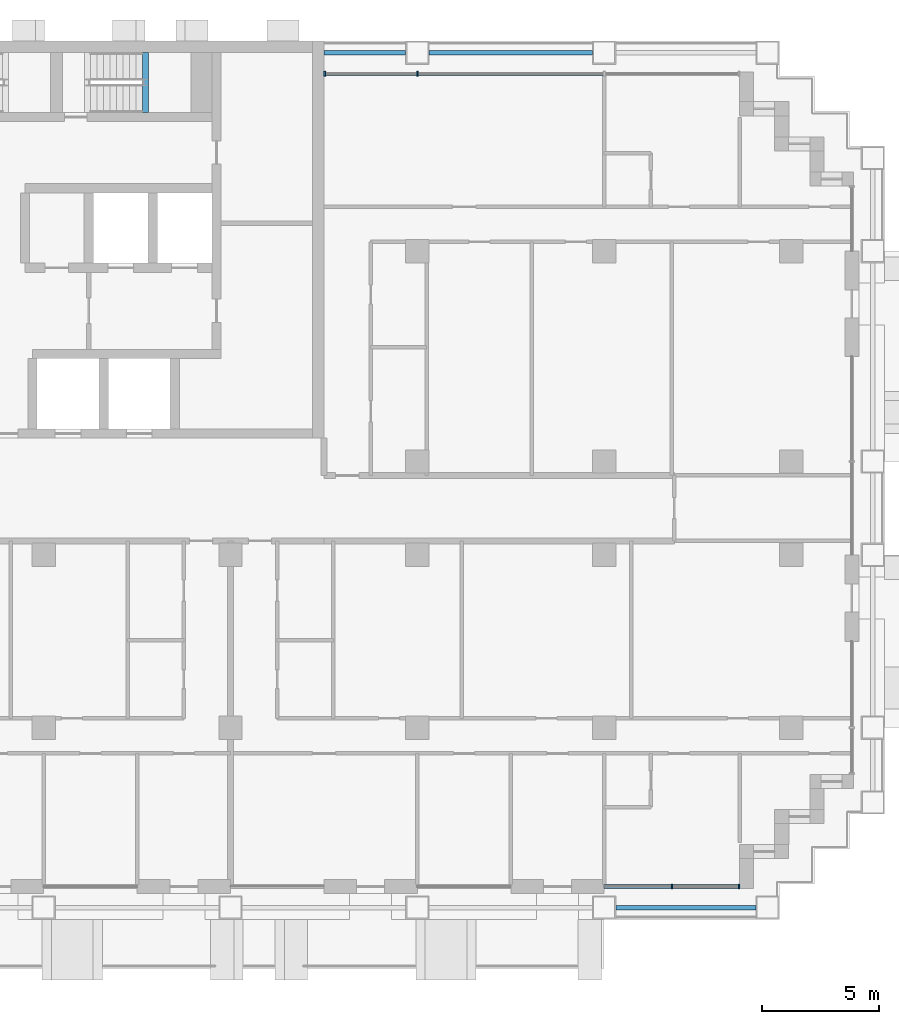
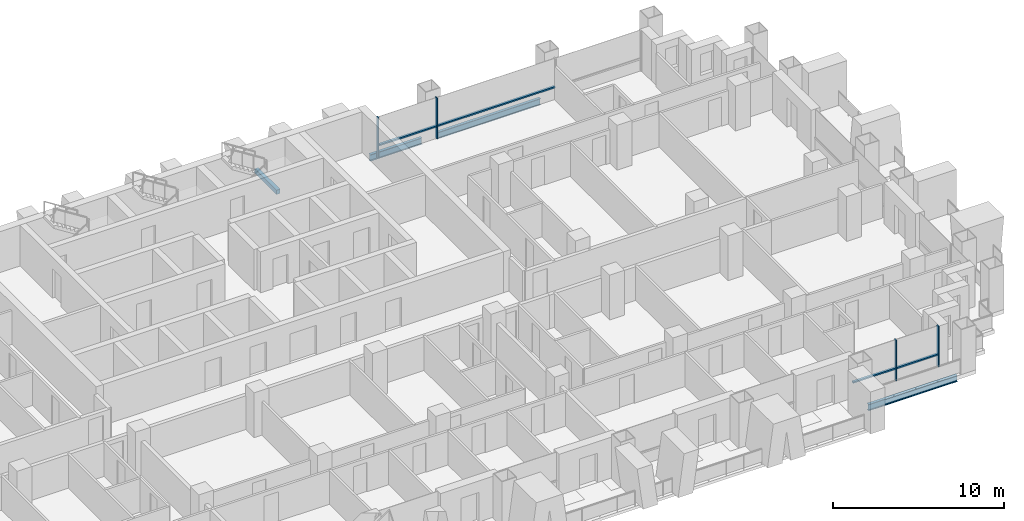
# One storey, part 5 of 18: 8 members, 4 beams, 2 elements without a shape of their own.
"""IFC4 building model written with IfcOpenShell, lengths in metres."""

import ifcopenshell
import ifcopenshell.guid

model = None  # the IFC model being written
_history = None  # IfcOwnerHistory: only IFC2X3 demands one
_inside = {}  # id of a spatial element -> (the spatial element, [elements in it])
_under = {}  # id of a project, library or spatial element -> (it, [spatial elements below it])
_declared = {}  # id of a project -> (the project, [libraries it declares])
_typed = {}  # id of a type object -> (the type object, [elements of that type])
_made_of = {}  # id of a material, layer set ... -> (it, [elements and type objects made of it])


def new_model(schema):
    """Start an empty IFC model of exactly this schema.

    Asked for "IFC4X3", IfcOpenShell would pick the latest addendum, in which some entities
    have other attributes; the version numbers below select the first issue.
    IFC2X3 requires an IfcOwnerHistory on every rooted entity: one is made here for all.
    """
    global model, _history
    if schema == "IFC4X3":
        model = ifcopenshell.file(schema_version=(4, 3, 0, 0))
    else:
        model = ifcopenshell.file(schema=schema)
    _inside.clear()
    _under.clear()
    _declared.clear()
    _typed.clear()
    _made_of.clear()
    _history = None
    if model.schema == "IFC2X3":
        org = make("IfcOrganization", Name="unknown")
        user = make(
            "IfcPersonAndOrganization",
            ThePerson=make("IfcPerson", FamilyName="unknown"),
            TheOrganization=org,
        )
        app = make(
            "IfcApplication",
            ApplicationDeveloper=org,
            Version="unknown",
            ApplicationFullName="unknown",
            ApplicationIdentifier="unknown",
        )
        _history = make(
            "IfcOwnerHistory",
            OwningUser=user,
            OwningApplication=app,
            ChangeAction="ADDED",
            CreationDate=0,
        )
    return model


def make(cls, **values):
    """One entity of the class cls with the attributes given. An attribute that is None is left unset."""
    return model.create_entity(
        cls, **{name: value for name, value in values.items() if value is not None}
    )


def rooted(cls, **values):
    """An entity with a GlobalId (a new one), such as an element, a storey or a relation."""
    return make(cls, GlobalId=ifcopenshell.guid.new(), OwnerHistory=_history, **values)


def si_unit(unit_type, name, prefix=None):
    """IfcSIUnit, for example si_unit("LENGTHUNIT", "METRE", prefix="MILLI")."""
    return make("IfcSIUnit", UnitType=unit_type, Prefix=prefix, Name=name)


def assignment(units):
    """IfcUnitAssignment: the units of a project."""
    return None if units is None else make("IfcUnitAssignment", Units=units)


def point(xyz):
    """IfcCartesianPoint."""
    return None if xyz is None else make("IfcCartesianPoint", Coordinates=xyz)


def direction(xyz):
    """IfcDirection."""
    return None if xyz is None else make("IfcDirection", DirectionRatios=xyz)


def frame(location, z_axis=None, x_axis=None):
    """IfcAxis2Placement3D, a coordinate frame: its origin and axes. An axis left out is left unset."""
    return make(
        "IfcAxis2Placement3D",
        Location=point(location),
        Axis=direction(z_axis),
        RefDirection=direction(x_axis),
    )


def frame_2d(location, x_axis=None):
    """IfcAxis2Placement2D, a coordinate frame in the plane: its origin and x axis."""
    return make(
        "IfcAxis2Placement2D", Location=point(location), RefDirection=direction(x_axis)
    )


def origin():
    """The frame at (0, 0, 0) with its axes left unset."""
    return frame((0.0, 0.0, 0.0))


def origin_2d():
    """The frame at (0, 0) in the plane with its x axis left unset."""
    return frame_2d((0.0, 0.0))


def place(relative_to, where):
    """IfcLocalPlacement: puts the frame where relative to a parent placement (None: the world)."""
    return make(
        "IfcLocalPlacement", PlacementRelTo=relative_to, RelativePlacement=where
    )


def context(
    kind, dimensions, precision=None, world=None, true_north=None, identifier=None
):
    """IfcGeometricRepresentationContext, for example the 3D "Model" context."""
    return make(
        "IfcGeometricRepresentationContext",
        ContextIdentifier=identifier,
        ContextType=kind,
        CoordinateSpaceDimension=dimensions,
        Precision=precision,
        WorldCoordinateSystem=world,
        TrueNorth=true_north,
    )


def subcontext(parent, identifier, kind, view, scale=None):
    """IfcGeometricRepresentationSubContext, for example "Body" below "Model"."""
    return make(
        "IfcGeometricRepresentationSubContext",
        ContextIdentifier=identifier,
        ContextType=kind,
        ParentContext=parent,
        TargetScale=scale,
        TargetView=view,
    )


def project(units=None, contexts=None):
    """IfcProject with its units and contexts."""
    return rooted(
        "IfcProject",
        Name="project",
        RepresentationContexts=contexts,
        UnitsInContext=assignment(units),
    )


def spatial(cls, under=None, at=None, **own):
    """A site, building, storey or space (cls), placed at a placement, below another one or the project."""
    s = rooted(cls, ObjectPlacement=at, **own)
    if under is not None:
        _under.setdefault(under.id(), (under, []))[1].append(s)
    return s


def profile(cls, at=None, kind="AREA", **sizes):
    """A parametric profile (cls). Its sizes go by their IFC names, for example OverallWidth=200.0."""
    return make(cls, ProfileType=kind, Position=at, **sizes)


def rectangle(**sizes):
    """IfcRectangleProfileDef."""
    return profile("IfcRectangleProfileDef", **sizes)


def i_section(**sizes):
    """IfcIShapeProfileDef."""
    return profile("IfcIShapeProfileDef", **sizes)


def extrude(swept, where, along, depth):
    """IfcExtrudedAreaSolid: the profile swept, set in the frame where, extruded along a direction by depth."""
    return make(
        "IfcExtrudedAreaSolid",
        SweptArea=swept,
        Position=where,
        ExtrudedDirection=direction(along),
        Depth=depth,
    )


def shape(context_of_items, identifier, shape_type, items):
    """IfcShapeRepresentation: the items that make up one representation, for example the "Body"."""
    return make(
        "IfcShapeRepresentation",
        ContextOfItems=context_of_items,
        RepresentationIdentifier=identifier,
        RepresentationType=shape_type,
        Items=items,
    )


def material(Name=None, Category=None):
    """IfcMaterial."""
    return make("IfcMaterial", Name=Name, Category=Category)


def material_profile(
    of_material, cross_section, Name=None, Category=None, Priority=None
):
    """IfcMaterialProfile: a cross section and its material."""
    return make(
        "IfcMaterialProfile",
        Name=Name,
        Material=of_material,
        Profile=cross_section,
        Priority=Priority,
        Category=Category,
    )


def profile_set(profiles, Name=None, composite=None):
    """IfcMaterialProfileSet."""
    return make(
        "IfcMaterialProfileSet",
        Name=Name,
        MaterialProfiles=profiles,
        CompositeProfile=composite,
    )


def made_of(thing, what):
    """Note that an element or type object is made of a material, layer set ...; save() writes the relation."""
    if what is not None:
        _made_of.setdefault(what.id(), (what, []))[1].append(thing)
    return thing


def type_object(cls, material=None, **own):
    """A type object (cls), such as IfcWallType, which elements share."""
    return made_of(rooted(cls, **own), material)


def element(
    cls,
    number,
    at=None,
    inside=None,
    cuts=None,
    type_object=None,
    material=None,
    context=None,
    identifier="Body",
    shape_type=None,
    held_by="IfcProductDefinitionShape",
    body=None,
    shapes=None,
    **own,
):
    """One element of the class cls, such as IfcWall. Its Tag is "e" and its number.

    at: its placement. inside: the storey or other place that contains it. cuts: it is an
    opening in that element (IfcRelVoidsElement). A single representation is given by context,
    identifier, shape_type and body (its items); several are given by shapes. held_by: the class
    of the entity that holds the representations. save() writes the other relations.
    """
    e = rooted(cls, Tag="e%d" % number, ObjectPlacement=at, **own)
    if body is not None:
        shapes = [shape(context, identifier, shape_type, body)]
    if shapes is not None:
        e.Representation = make(held_by, Representations=shapes)
    if inside is not None:
        _inside.setdefault(inside.id(), (inside, []))[1].append(e)
    if cuts is not None:
        rooted(
            "IfcRelVoidsElement", RelatingBuildingElement=cuts, RelatedOpeningElement=e
        )
    if type_object is not None:
        _typed.setdefault(type_object.id(), (type_object, []))[1].append(e)
    return made_of(e, material)


def aggregate(whole, parts):
    """IfcRelAggregates: a whole, such as a stair, and the parts it consists of."""
    return rooted("IfcRelAggregates", RelatingObject=whole, RelatedObjects=parts)


def save(model, path):
    """Write the relations noted so far, then the file.

    IfcRelAggregates (storeys below a building ...), IfcRelContainedInSpatialStructure (elements
    in a storey), IfcRelDefinesByType, IfcRelAssociatesMaterial and IfcRelDeclares: one each for
    every whole, place, type object, material and project.
    """
    for whole, parts in _under.values():
        aggregate(whole, parts)
    for where, things in _inside.values():
        rooted(
            "IfcRelContainedInSpatialStructure",
            RelatedElements=things,
            RelatingStructure=where,
        )
    for kind, things in _typed.values():
        rooted("IfcRelDefinesByType", RelatedObjects=things, RelatingType=kind)
    for what, things in _made_of.values():
        rooted("IfcRelAssociatesMaterial", RelatedObjects=things, RelatingMaterial=what)
    for by, libraries in _declared.values():
        rooted("IfcRelDeclares", RelatingContext=by, RelatedDefinitions=libraries)
    model.write(path)


model = new_model("IFC4")

# Units and contexts
model_context = context("Model", 3, precision=1e-05, world=origin(), true_north=direction((0.0, 1.0)))
body_context = subcontext(model_context, "Body", "Model", "MODEL_VIEW")
ifc_project = project(units=[si_unit("LENGTHUNIT", "METRE"), si_unit("AREAUNIT", "SQUARE_METRE"), si_unit("VOLUMEUNIT", "CUBIC_METRE"), si_unit("PLANEANGLEUNIT", "RADIAN"), si_unit("MASSUNIT", "GRAM", prefix="KILO")], contexts=[model_context])

# Site, building, storey
site_placement = place(None, origin())
site = spatial("IfcSite", under=ifc_project, at=site_placement, CompositionType="ELEMENT")
building_placement = place(site_placement, origin())
building = spatial("IfcBuilding", under=site, at=building_placement, Name="Vidyagriha Tower", CompositionType="ELEMENT")
storey_placement = place(building_placement, frame((0.0, 0.0, 51.199951171875)))
storey = spatial("IfcBuildingStorey", under=building, at=storey_placement, Name="L13", CompositionType="ELEMENT", Elevation=51.199951171875)

# Beams
ifc_material_1 = material(Name="Steel ASTM A992 Grade 50", Category="steel")
ifc_material_profile_1 = material_profile(ifc_material_1, i_section(OverallWidth=0.19189453125, OverallDepth=0.46240234375, WebThickness=0.010498046875, FlangeThickness=0.017578125, at=origin_2d()), Name="W18X60")
ifc_profile_set_1 = profile_set([ifc_material_profile_1], Name="Steel ASTM A992 Grade 50")
beam_type_1 = type_object("IfcBeamType", Name="Edge beam W18X60", PredefinedType="SPANDREL", material=ifc_profile_set_1)
beam_1_placement = place(storey_placement, frame((26.5, -17.10009765625, -0.510986328125), z_axis=(1.0, 0.0, 0.0), x_axis=(0.0, 1.0, 0.0)))
element("IfcBeam", 1, at=beam_1_placement, inside=storey, type_object=beam_type_1, Name="st-beam-L13-S09", PredefinedType="SPANDREL", context=body_context, shape_type="SweptSolid", body=[
    extrude(i_section(OverallWidth=0.19189453125, OverallDepth=0.46240234375, WebThickness=0.010498046875, FlangeThickness=0.017578125, at=origin_2d()), origin(), (0.0, 0.0, 1.0), 6.0),
])
beam_2_placement = place(storey_placement, frame((18.5, 19.5, -0.510986328125), z_axis=(1.0, 0.0, 0.0), x_axis=(0.0, 1.0, 0.0)))
element("IfcBeam", 2, at=beam_2_placement, inside=storey, type_object=beam_type_1, Name="st-beam-L13-NE22", PredefinedType="SPANDREL", context=body_context, shape_type="SweptSolid", body=[
    extrude(i_section(OverallWidth=0.19189453125, OverallDepth=0.46240234375, WebThickness=0.010498046875, FlangeThickness=0.017578125, at=origin_2d()), origin(), (0.0, 0.0, 1.0), 7.0),
])
beam_3_placement = place(storey_placement, frame((14.0, 19.5, -0.510986328125), z_axis=(1.0, 0.0, 0.0), x_axis=(0.0, 1.0, 0.0)))
element("IfcBeam", 3, at=beam_3_placement, inside=storey, type_object=beam_type_1, Name="st-beam-L13-NC25", PredefinedType="SPANDREL", context=body_context, shape_type="SweptSolid", body=[
    extrude(i_section(OverallWidth=0.19189453125, OverallDepth=0.46240234375, WebThickness=0.010498046875, FlangeThickness=0.017578125, at=origin_2d()), origin(), (0.0, 0.0, 1.0), 3.5),
])

# Curtain wall, members
ifc_material_2 = material(Name="Aluminium and glass curtain wall", Category="aluminium")
curtain_wall_type = type_object("IfcCurtainWallType", Name="Dwelling skin unitised curtain wall", PredefinedType="USERDEFINED", material=ifc_material_2)
curtain_wall_1_placement = place(storey_placement, origin())
curtain_wall_1 = element("IfcCurtainWall", 4, at=curtain_wall_1_placement, inside=storey, type_object=curtain_wall_type, Name="CW1 dwelling skin", ObjectType="UNITISED", PredefinedType="USERDEFINED")
ifc_material_3 = material(Name="Aluminium black anodised", Category="aluminium")
ifc_material_profile_2 = material_profile(ifc_material_3, rectangle(XDim=0.199951171875, YDim=0.070068359375, at=origin_2d()), Name="Mullion 70x200 black aluminium")
ifc_profile_set_2 = profile_set([ifc_material_profile_2], Name="Aluminium black anodised")
member_type_1 = type_object("IfcMemberType", Name="Mullion 70x200 black aluminium", PredefinedType="MULLION", material=ifc_profile_set_2)
member_1_placement = place(storey_placement, frame((18.0, 18.60009765625, 0.0), z_axis=(0.0, 0.0, 1.0), x_axis=(0.0, -1.0, 0.0)))
member_1 = element("IfcMember", 5, at=member_1_placement, type_object=member_type_1, Name="CW1 mullion 3", PredefinedType="MULLION", context=body_context, shape_type="SweptSolid", body=[
    extrude(rectangle(XDim=0.199951171875, YDim=0.070068359375, at=origin_2d()), origin(), (0.0, 0.0, 1.0), 2.920166015625),
])
member_2_placement = place(storey_placement, frame((14.034912109375, 18.60009765625, 0.0), z_axis=(0.0, 0.0, 1.0), x_axis=(0.0, -1.0, 0.0)))
member_2 = element("IfcMember", 6, at=member_2_placement, type_object=member_type_1, Name="CW1 mullion 4", PredefinedType="MULLION", context=body_context, shape_type="SweptSolid", body=[
    extrude(rectangle(XDim=0.199951171875, YDim=0.070068359375, at=origin_2d()), origin(), (0.0, 0.0, 1.0), 2.920166015625),
])

curtain_wall_2_placement = place(storey_placement, origin())
curtain_wall_2 = element("IfcCurtainWall", 7, at=curtain_wall_2_placement, inside=storey, type_object=curtain_wall_type, Name="CW1 dwelling skin", ObjectType="UNITISED", PredefinedType="USERDEFINED")
member_3_placement = place(storey_placement, frame((28.89990234375, -16.199951171875, 0.0), z_axis=(0.0, 0.0, 1.0), x_axis=(0.0, 1.0, 0.0)))
member_3 = element("IfcMember", 8, at=member_3_placement, type_object=member_type_1, Name="CW1 mullion 2", PredefinedType="MULLION", context=body_context, shape_type="SweptSolid", body=[
    extrude(rectangle(XDim=0.199951171875, YDim=0.070068359375, at=origin_2d()), origin(), (0.0, 0.0, 1.0), 2.920166015625),
])
member_4_placement = place(storey_placement, frame((31.764892578125, -16.199951171875, 0.0), z_axis=(0.0, 0.0, 1.0), x_axis=(0.0, 1.0, 0.0)))
member_4 = element("IfcMember", 9, at=member_4_placement, type_object=member_type_1, Name="CW1 mullion 3", PredefinedType="MULLION", context=body_context, shape_type="SweptSolid", body=[
    extrude(rectangle(XDim=0.199951171875, YDim=0.070068359375, at=origin_2d()), origin(), (0.0, 0.0, 1.0), 2.920166015625),
])

# Beam
ifc_material_4 = material(Name="Concrete C40/50", Category="concrete")
ifc_material_profile_3 = material_profile(ifc_material_4, rectangle(XDim=0.25, YDim=0.300048828125, at=origin_2d()), Name="Stair landing bearing beam 250x300")
ifc_profile_set_3 = profile_set([ifc_material_profile_3], Name="Concrete C40/50")
beam_type_2 = type_object("IfcBeamType", Name="Stair landing bearing beam 250x300", PredefinedType="BEAM", material=ifc_profile_set_3)
beam_4_placement = place(storey_placement, frame((6.364990234375, 16.949951171875, 1.25), z_axis=(0.0, 1.0, 0.0), x_axis=(-1.0, 0.0, 0.0)))
element("IfcBeam", 10, at=beam_4_placement, inside=storey, type_object=beam_type_2, Name="ST3 landing bearing beam L13", PredefinedType="BEAM", context=body_context, shape_type="SweptSolid", body=[
    extrude(rectangle(XDim=0.25, YDim=0.300048828125, at=origin_2d()), origin(), (0.0, 0.0, 1.0), 2.550048828125),
])

# Member
ifc_material_5 = material(Name="Aluminium black anodised", Category="aluminium")
ifc_material_profile_4 = material_profile(ifc_material_5, rectangle(XDim=0.159912109375, YDim=0.10009765625, at=origin_2d()), Name="Transom 100x160 black aluminium")
ifc_profile_set_4 = profile_set([ifc_material_profile_4], Name="Aluminium black anodised")
member_type_2 = type_object("IfcMemberType", Name="Transom 100x160 black aluminium", PredefinedType="USERDEFINED", material=ifc_profile_set_4)
member_5_placement = place(storey_placement, frame((25.965087890625, 18.60009765625, 0.900146484375), z_axis=(-1.0, 0.0, 0.0), x_axis=(0.0, -1.0, 0.0)))
member_5 = element("IfcMember", 11, at=member_5_placement, type_object=member_type_2, Name="CW1 transom 2.1", ObjectType="TRANSOM", PredefinedType="USERDEFINED", context=body_context, shape_type="SweptSolid", body=[
    extrude(rectangle(XDim=0.159912109375, YDim=0.10009765625, at=origin_2d()), origin(), (0.0, 0.0, 1.0), 7.93017578125),
])

member_6_placement = place(storey_placement, frame((17.965087890625, 18.60009765625, 0.900146484375), z_axis=(-1.0, 0.0, 0.0), x_axis=(0.0, -1.0, 0.0)))
member_6 = element("IfcMember", 12, at=member_6_placement, type_object=member_type_2, Name="CW1 transom 3.1", ObjectType="TRANSOM", PredefinedType="USERDEFINED", context=body_context, shape_type="SweptSolid", body=[
    extrude(rectangle(XDim=0.159912109375, YDim=0.10009765625, at=origin_2d()), origin(), (0.0, 0.0, 1.0), 3.89501953125),
])

aggregate(curtain_wall_1, [member_1, member_2, member_5, member_6])

member_7_placement = place(storey_placement, frame((26.0, -16.199951171875, 0.900146484375), z_axis=(1.0, 0.0, 0.0), x_axis=(0.0, 1.0, 0.0)))
member_7 = element("IfcMember", 13, at=member_7_placement, type_object=member_type_2, Name="CW1 transom 1.1", ObjectType="TRANSOM", PredefinedType="USERDEFINED", context=body_context, shape_type="SweptSolid", body=[
    extrude(rectangle(XDim=0.159912109375, YDim=0.10009765625, at=origin_2d()), origin(), (0.0, 0.0, 1.0), 2.864990234375),
])

member_8_placement = place(storey_placement, frame((28.93505859375, -16.199951171875, 0.900146484375), z_axis=(1.0, 0.0, 0.0), x_axis=(0.0, 1.0, 0.0)))
member_8 = element("IfcMember", 14, at=member_8_placement, type_object=member_type_2, Name="CW1 transom 2.1", ObjectType="TRANSOM", PredefinedType="USERDEFINED", context=body_context, shape_type="SweptSolid", body=[
    extrude(rectangle(XDim=0.159912109375, YDim=0.10009765625, at=origin_2d()), origin(), (0.0, 0.0, 1.0), 2.794921875),
])

aggregate(curtain_wall_2, [member_3, member_4, member_7, member_8])

save(model, "model.ifc")
